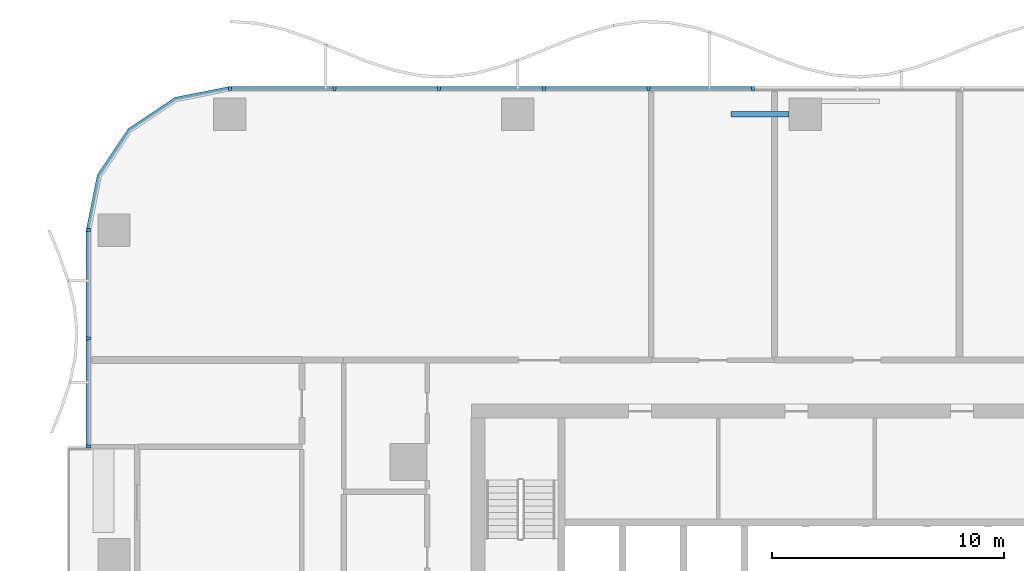
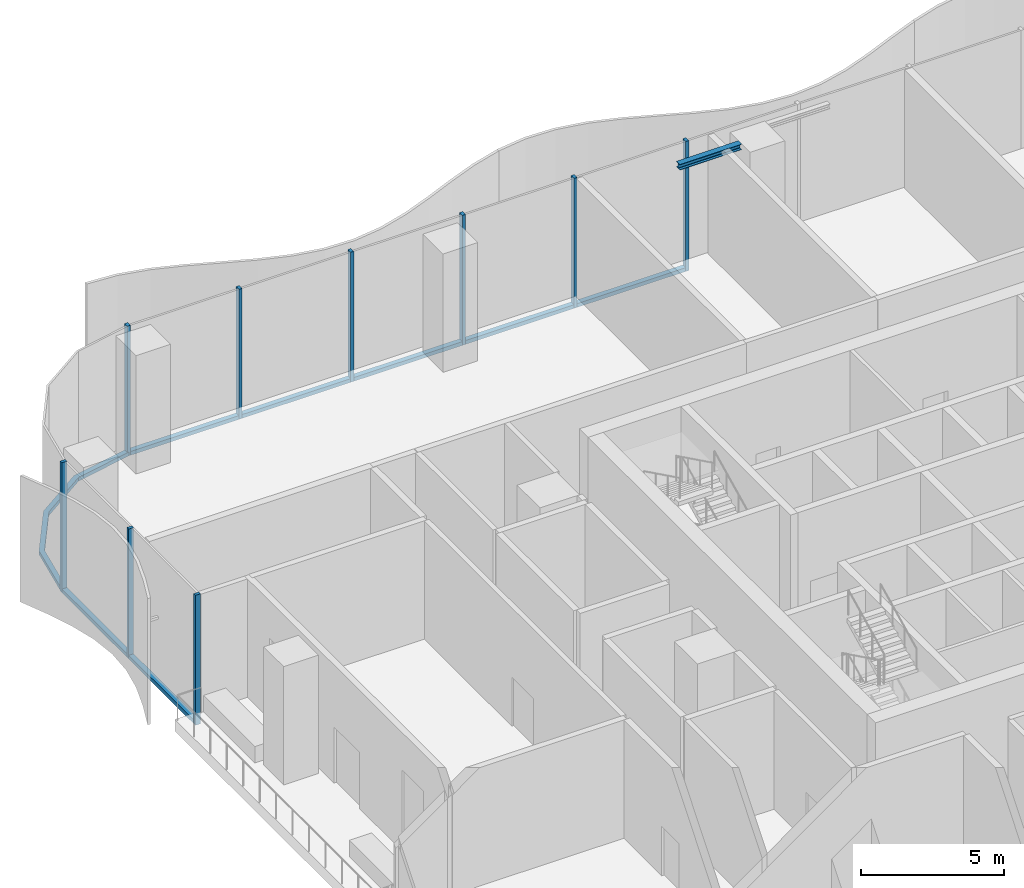
# One storey, part 4 of 20: 17 members, 1 beam, 3 elements without a shape of their own.
"""IFC4 building model written with IfcOpenShell, lengths in metres."""

from ifc_helpers import new_model, si_unit, direction, frame, origin, origin_2d, place, context, subcontext, project, spatial, polyline, rectangle, i_section, outline, extrude, material, material_profile, profile_set, type_object, element, aggregate, save


model = new_model("IFC4")

# Units and contexts
model_context = context("Model", 3, precision=1e-05, world=origin(), true_north=direction((0.0, 1.0)))
body_context = subcontext(model_context, "Body", "Model", "MODEL_VIEW")
ifc_project = project(units=[si_unit("LENGTHUNIT", "METRE"), si_unit("AREAUNIT", "SQUARE_METRE"), si_unit("VOLUMEUNIT", "CUBIC_METRE"), si_unit("PLANEANGLEUNIT", "RADIAN"), si_unit("MASSUNIT", "GRAM", prefix="KILO")], contexts=[model_context])

# Site, building, storey
site_placement = place(None, origin())
site = spatial("IfcSite", under=ifc_project, at=site_placement, CompositionType="ELEMENT")
building_placement = place(site_placement, origin())
building = spatial("IfcBuilding", under=site, at=building_placement, Name="Mopane Tessera Tower", CompositionType="ELEMENT")
storey_placement = place(building_placement, frame((0.0, 0.0, 25.5)))
storey = spatial("IfcBuildingStorey", under=building, at=storey_placement, Name="L04", CompositionType="ELEMENT", Elevation=25.5)

# Curtain wall, members
ifc_material_1 = material(Name="Aluminium frame", Category="aluminium")
curtain_wall_type = type_object("IfcCurtainWallType", Name="Podium unitised wall", PredefinedType="NOTDEFINED", material=ifc_material_1)
curtain_wall_1_placement = place(storey_placement, origin())
curtain_wall_1 = element("IfcCurtainWall", 1, at=curtain_wall_1_placement, inside=storey, type_object=curtain_wall_type, Name="e:cw:L04:N:0", PredefinedType="NOTDEFINED")
ifc_material_2 = material(Name="Aluminium frame", Category="aluminium")
ifc_material_profile_1 = material_profile(ifc_material_2, rectangle(XDim=0.125, YDim=0.199951171875, at=origin_2d()))
ifc_profile_set_1 = profile_set([ifc_material_profile_1], Name="Aluminium frame")
member_type_1 = type_object("IfcMemberType", Name="Aluminium mullion 125 x 200", PredefinedType="MULLION", material=ifc_profile_set_1)
member_1_placement = place(storey_placement, frame((-2.254638671875, 27.10009765625, -0.5), z_axis=(0.0, 0.0, 1.0), x_axis=(-1.0, 0.0, 0.0)))
member_1 = element("IfcMember", 2, at=member_1_placement, type_object=member_type_1, Name="e:cw:L04:N:0:mu6", PredefinedType="MULLION", context=body_context, shape_type="SweptSolid", body=[
    extrude(rectangle(XDim=0.125, YDim=0.199951171875, at=origin_2d()), origin(), (0.0, 0.0, 1.0), 5.550048828125),
])
member_2_placement = place(storey_placement, frame((-6.763671875, 27.10009765625, -0.5), z_axis=(0.0, 0.0, 1.0), x_axis=(-1.0, 0.0, 0.0)))
member_2 = element("IfcMember", 3, at=member_2_placement, type_object=member_type_1, Name="e:cw:L04:N:0:mu7", PredefinedType="MULLION", context=body_context, shape_type="SweptSolid", body=[
    extrude(rectangle(XDim=0.125, YDim=0.199951171875, at=origin_2d()), origin(), (0.0, 0.0, 1.0), 5.550048828125),
])
member_3_placement = place(storey_placement, frame((-11.272705078125, 27.10009765625, -0.5), z_axis=(0.0, 0.0, 1.0), x_axis=(-1.0, 0.0, 0.0)))
member_3 = element("IfcMember", 4, at=member_3_placement, type_object=member_type_1, Name="e:cw:L04:N:0:mu8", PredefinedType="MULLION", context=body_context, shape_type="SweptSolid", body=[
    extrude(rectangle(XDim=0.125, YDim=0.199951171875, at=origin_2d()), origin(), (0.0, 0.0, 1.0), 5.550048828125),
])
member_4_placement = place(storey_placement, frame((-15.78173828125, 27.10009765625, -0.5), z_axis=(0.0, 0.0, 1.0), x_axis=(-1.0, 0.0, 0.0)))
member_4 = element("IfcMember", 5, at=member_4_placement, type_object=member_type_1, Name="e:cw:L04:N:0:mu9", PredefinedType="MULLION", context=body_context, shape_type="SweptSolid", body=[
    extrude(rectangle(XDim=0.125, YDim=0.199951171875, at=origin_2d()), origin(), (0.0, 0.0, 1.0), 5.550048828125),
])
member_5_placement = place(storey_placement, frame((-20.291015625, 27.10009765625, -0.5), z_axis=(0.0, 0.0, 1.0), x_axis=(-1.0, 0.0, 0.0)))
member_5 = element("IfcMember", 6, at=member_5_placement, type_object=member_type_1, Name="e:cw:L04:N:0:mu10", PredefinedType="MULLION", context=body_context, shape_type="SweptSolid", body=[
    extrude(rectangle(XDim=0.125, YDim=0.199951171875, at=origin_2d()), origin(), (0.0, 0.0, 1.0), 5.550048828125),
])
member_6_placement = place(storey_placement, frame((-24.800048828125, 27.10009765625, -0.5), z_axis=(0.0, 0.0, 1.0), x_axis=(-1.0, 0.0, 0.0)))
member_6 = element("IfcMember", 7, at=member_6_placement, type_object=member_type_1, Name="e:cw:L04:N:0:mu11", PredefinedType="MULLION", context=body_context, shape_type="SweptSolid", body=[
    extrude(rectangle(XDim=0.125, YDim=0.199951171875, at=origin_2d()), origin(), (0.0, 0.0, 1.0), 5.550048828125),
])

curtain_wall_2_placement = place(storey_placement, origin())
curtain_wall_2 = element("IfcCurtainWall", 8, at=curtain_wall_2_placement, inside=storey, type_object=curtain_wall_type, Name="e:cw:L04:W:0", PredefinedType="NOTDEFINED")
member_7_placement = place(storey_placement, frame((-30.89990234375, 21.0, -0.5), z_axis=(0.0, 0.0, 1.0), x_axis=(0.0, -1.0, 0.0)))
member_7 = element("IfcMember", 9, at=member_7_placement, type_object=member_type_1, Name="e:cw:L04:W:0:mu0", PredefinedType="MULLION", context=body_context, shape_type="SweptSolid", body=[
    extrude(rectangle(XDim=0.125, YDim=0.199951171875, at=origin_2d()), origin(), (0.0, 0.0, 1.0), 5.550048828125),
])
member_8_placement = place(storey_placement, frame((-30.89990234375, 16.333251953125, -0.5), z_axis=(0.0, 0.0, 1.0), x_axis=(0.0, -1.0, 0.0)))
member_8 = element("IfcMember", 10, at=member_8_placement, type_object=member_type_1, Name="e:cw:L04:W:0:mu1", PredefinedType="MULLION", context=body_context, shape_type="SweptSolid", body=[
    extrude(rectangle(XDim=0.125, YDim=0.199951171875, at=origin_2d()), origin(), (0.0, 0.0, 1.0), 5.550048828125),
])
member_9_placement = place(storey_placement, frame((-30.89990234375, 11.666748046875, -0.5), z_axis=(0.0, 0.0, 1.0), x_axis=(0.0, -1.0, 0.0)))
member_9 = element("IfcMember", 11, at=member_9_placement, type_object=member_type_1, Name="e:cw:L04:W:0:mu2", PredefinedType="MULLION", context=body_context, shape_type="SweptSolid", body=[
    extrude(rectangle(XDim=0.125, YDim=0.199951171875, at=origin_2d()), origin(), (0.0, 0.0, 1.0), 5.550048828125),
])

# Member
ifc_material_3 = material(Name="Aluminium frame", Category="aluminium")
ifc_material_profile_2 = material_profile(ifc_material_3, rectangle(XDim=0.199951171875, YDim=0.159912109375, at=origin_2d()))
ifc_profile_set_2 = profile_set([ifc_material_profile_2], Name="Aluminium frame")
member_type_2 = type_object("IfcMemberType", Name="Aluminium transom 200 x 160", PredefinedType="USERDEFINED", material=ifc_profile_set_2)
member_10_placement = place(storey_placement, frame((-2.317138671875, 27.10009765625, -0.419921875), z_axis=(-1.0, 0.0, 0.0), x_axis=(0.0, -1.0, 0.0)))
member_10 = element("IfcMember", 12, at=member_10_placement, type_object=member_type_2, Name="e:cw:L04:N:0:tr6", ObjectType="TRANSOM", PredefinedType="USERDEFINED", context=body_context, shape_type="SweptSolid", body=[
    extrude(rectangle(XDim=0.199951171875, YDim=0.159912109375, at=origin_2d()), origin(), (0.0, 0.0, 1.0), 4.384033203125),
])

member_11_placement = place(storey_placement, frame((-6.826171875, 27.10009765625, -0.419921875), z_axis=(-1.0, 0.0, 0.0), x_axis=(0.0, -1.0, 0.0)))
member_11 = element("IfcMember", 13, at=member_11_placement, type_object=member_type_2, Name="e:cw:L04:N:0:tr7", ObjectType="TRANSOM", PredefinedType="USERDEFINED", context=body_context, shape_type="SweptSolid", body=[
    extrude(rectangle(XDim=0.199951171875, YDim=0.159912109375, at=origin_2d()), origin(), (0.0, 0.0, 1.0), 4.384033203125),
])

member_12_placement = place(storey_placement, frame((-11.335205078125, 27.10009765625, -0.419921875), z_axis=(-1.0, 0.0, 0.0), x_axis=(0.0, -1.0, 0.0)))
member_12 = element("IfcMember", 14, at=member_12_placement, type_object=member_type_2, Name="e:cw:L04:N:0:tr8", ObjectType="TRANSOM", PredefinedType="USERDEFINED", context=body_context, shape_type="SweptSolid", body=[
    extrude(rectangle(XDim=0.199951171875, YDim=0.159912109375, at=origin_2d()), origin(), (0.0, 0.0, 1.0), 4.384033203125),
])

member_13_placement = place(storey_placement, frame((-15.84423828125, 27.10009765625, -0.419921875), z_axis=(-1.0, 0.0, 0.0), x_axis=(0.0, -1.0, 0.0)))
member_13 = element("IfcMember", 15, at=member_13_placement, type_object=member_type_2, Name="e:cw:L04:N:0:tr9", ObjectType="TRANSOM", PredefinedType="USERDEFINED", context=body_context, shape_type="SweptSolid", body=[
    extrude(rectangle(XDim=0.199951171875, YDim=0.159912109375, at=origin_2d()), origin(), (0.0, 0.0, 1.0), 4.38427734375),
])

member_14_placement = place(storey_placement, frame((-20.353515625, 27.10009765625, -0.419921875), z_axis=(-1.0, 0.0, 0.0), x_axis=(0.0, -1.0, 0.0)))
member_14 = element("IfcMember", 16, at=member_14_placement, type_object=member_type_2, Name="e:cw:L04:N:0:tr10", ObjectType="TRANSOM", PredefinedType="USERDEFINED", context=body_context, shape_type="SweptSolid", body=[
    extrude(rectangle(XDim=0.199951171875, YDim=0.159912109375, at=origin_2d()), origin(), (0.0, 0.0, 1.0), 4.384033203125),
])

aggregate(curtain_wall_1, [member_1, member_2, member_3, member_4, member_5, member_6, member_10, member_11, member_12, member_13, member_14])

# Curtain wall, member
curtain_wall_3_placement = place(storey_placement, origin())
curtain_wall_3 = element("IfcCurtainWall", 17, at=curtain_wall_3_placement, inside=storey, type_object=curtain_wall_type, Name="e:cw:L04:CN", PredefinedType="NOTDEFINED")
member_15_placement = place(storey_placement, frame((0.0, 0.0, -0.5)))
member_15 = element("IfcMember", 18, at=member_15_placement, type_object=member_type_2, Name="e:cw:L04:CN:tr", ObjectType="TRANSOM", PredefinedType="USERDEFINED", context=body_context, shape_type="SweptSolid", body=[
    extrude(outline(polyline([(-24.800048828125, 27.0), (-27.09619140625, 26.543212890625), (-29.042724609375, 25.24267578125), (-30.34326171875, 23.296142578125), (-30.800048828125, 21.0), (-31.0, 21.0), (-30.528076171875, 23.37255859375), (-29.18408203125, 25.384033203125), (-27.172607421875, 26.72802734375), (-24.800048828125, 27.199951171875), (-24.800048828125, 27.0)])), origin(), (0.0, 0.0, 1.0), 0.159912109375),
])
aggregate(curtain_wall_3, [member_15])

# Member
member_16_placement = place(storey_placement, frame((-30.89990234375, 20.9375, -0.419921875), z_axis=(0.0, -1.0, 0.0), x_axis=(1.0, 0.0, 0.0)))
member_16 = element("IfcMember", 19, at=member_16_placement, type_object=member_type_2, Name="e:cw:L04:W:0:tr0", ObjectType="TRANSOM", PredefinedType="USERDEFINED", context=body_context, shape_type="SweptSolid", body=[
    extrude(rectangle(XDim=0.199951171875, YDim=0.159912109375, at=origin_2d()), origin(), (0.0, 0.0, 1.0), 4.541748046875),
])

member_17_placement = place(storey_placement, frame((-30.89990234375, 16.270751953125, -0.419921875), z_axis=(0.0, -1.0, 0.0), x_axis=(1.0, 0.0, 0.0)))
member_17 = element("IfcMember", 20, at=member_17_placement, type_object=member_type_2, Name="e:cw:L04:W:0:tr1", ObjectType="TRANSOM", PredefinedType="USERDEFINED", context=body_context, shape_type="SweptSolid", body=[
    extrude(rectangle(XDim=0.199951171875, YDim=0.159912109375, at=origin_2d()), origin(), (0.0, 0.0, 1.0), 4.54150390625),
])

aggregate(curtain_wall_2, [member_7, member_8, member_9, member_16, member_17])

# Beam
ifc_material_4 = material(Name="Structural steel S460", Category="steel")
ifc_material_profile_3 = material_profile(ifc_material_4, i_section(OverallWidth=0.239990234375, OverallDepth=0.239990234375, WebThickness=0.010009765625, FlangeThickness=0.01708984375, FilletRadius=0.02099609375, at=origin_2d()))
ifc_profile_set_3 = profile_set([ifc_material_profile_3], Name="Structural steel S460")
beam_type = type_object("IfcBeamType", Name="Terrace spandrel beam HE 240 B", PredefinedType="SPANDREL", material=ifc_profile_set_3)
beam_placement = place(storey_placement, frame((-0.702880859375, 26.0, 4.929931640625), z_axis=(-1.0, 0.0, 0.0), x_axis=(0.0, -1.0, 0.0)))
element("IfcBeam", 21, at=beam_placement, inside=storey, type_object=beam_type, Name="Terrace spandrel beam N2 L05", PredefinedType="SPANDREL", context=body_context, shape_type="SweptSolid", body=[
    extrude(i_section(OverallWidth=0.239990234375, OverallDepth=0.239990234375, WebThickness=0.010009765625, FlangeThickness=0.01708984375, FilletRadius=0.02099609375, at=origin_2d()), origin(), (0.0, 0.0, 1.0), 2.5),
])

save(model, "model.ifc")
